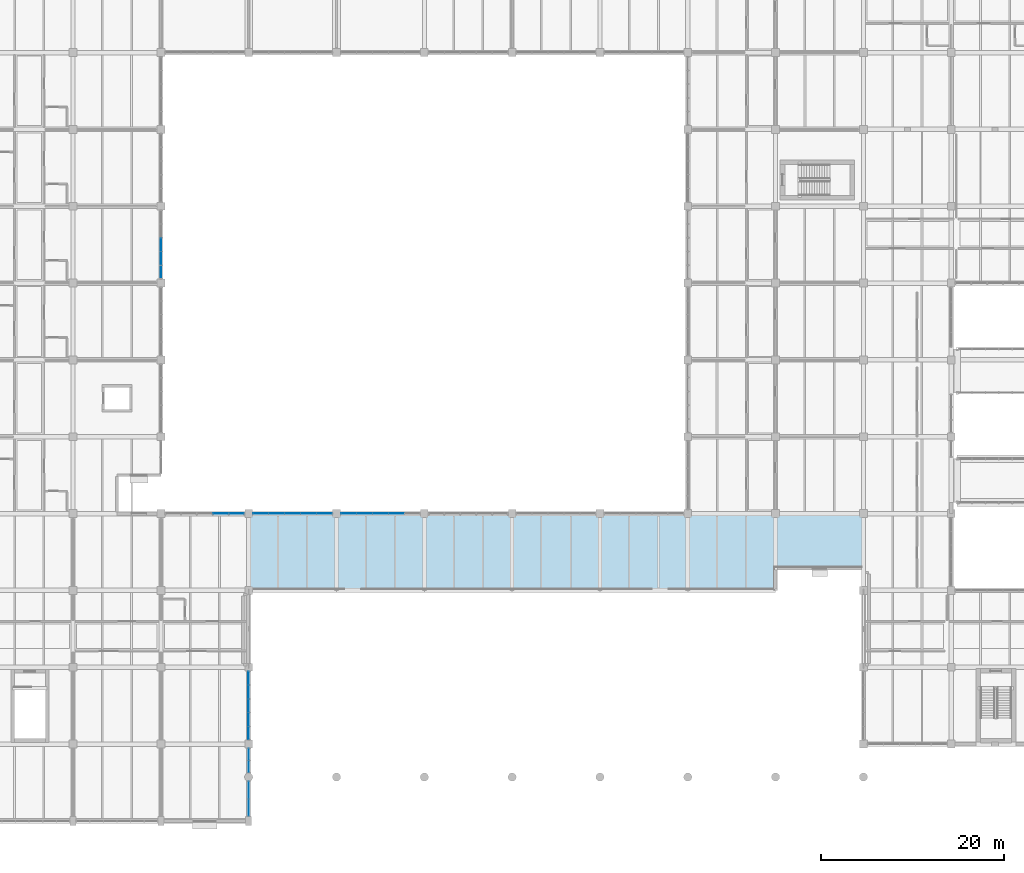
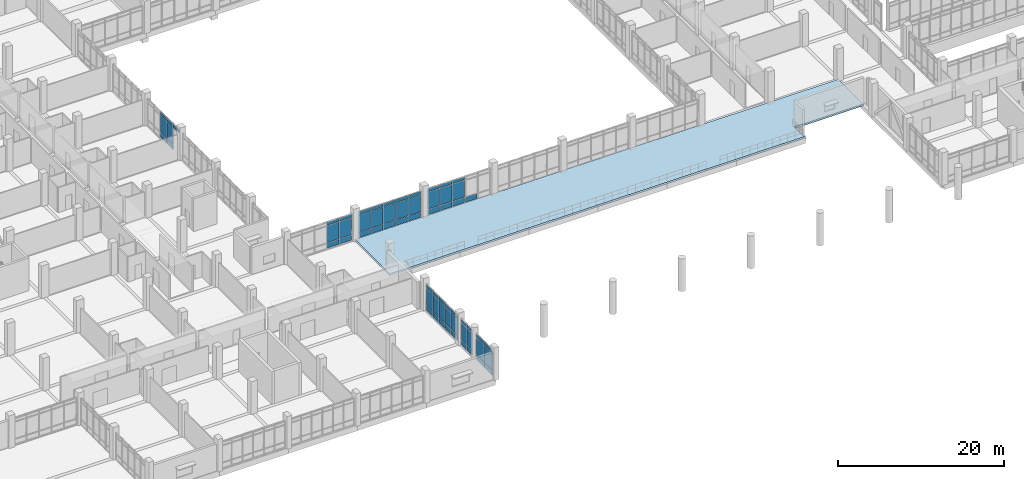
# One storey, part 88 of 152: 65 plates, 1 slab, 7 elements without a shape of their own.
"""IFC4 building model written with IfcOpenShell, lengths in metres."""

from ifc_helpers import new_model, si_unit, direction, frame, origin, origin_2d, place, context, subcontext, project, spatial, polyline, rectangle, outline, extrude, material, layer, layer_set, type_object, element, aggregate, save


model = new_model("IFC4")

# Units and contexts
model_context = context("Model", 3, precision=1e-05, world=origin(), true_north=direction((0.0, 1.0)))
body_context = subcontext(model_context, "Body", "Model", "MODEL_VIEW")
ifc_project = project(units=[si_unit("LENGTHUNIT", "METRE"), si_unit("AREAUNIT", "SQUARE_METRE"), si_unit("VOLUMEUNIT", "CUBIC_METRE"), si_unit("PLANEANGLEUNIT", "RADIAN"), si_unit("MASSUNIT", "GRAM", prefix="KILO")], contexts=[model_context])

# Site, building, storey
site_placement = place(None, origin())
site = spatial("IfcSite", under=ifc_project, at=site_placement, CompositionType="ELEMENT")
building_placement = place(site_placement, origin())
building = spatial("IfcBuilding", under=site, at=building_placement, Name="Oolite Switchyard Hospital", CompositionType="ELEMENT")
storey_placement = place(building_placement, frame((0.0, 0.0, 5.10009765625)))
storey = spatial("IfcBuildingStorey", under=building, at=storey_placement, Name="L01", CompositionType="ELEMENT", Elevation=5.10009765625)

# Curtain wall, plates
ifc_material_1 = material(Name="Thermally broken aluminum frame with laminated impact glazing", Category="aluminium")
curtain_wall_type_1 = type_object("IfcCurtainWallType", Name="CW-UNIT-96X48", PredefinedType="USERDEFINED", material=ifc_material_1)
curtain_wall_1_placement = place(storey_placement, origin())
curtain_wall_1 = element("IfcCurtainWall", 1, at=curtain_wall_1_placement, inside=storey, type_object=curtain_wall_type_1, Name="L01 Unitised Curtain Wall 110", ObjectType="UNITISED", PredefinedType="USERDEFINED")
ifc_material_2 = material(Name="Insulated fluoropolymer-coated aluminum spandrel panel", Category="aluminium")
ifc_layer_1 = layer(ifc_material_2, 0.054931640625)
ifc_layer_set_1 = layer_set([ifc_layer_1], Name="CW-PNL-SPN55")
plate_type_1 = type_object("IfcPlateType", Name="CW-PNL-SPN55", PredefinedType="CURTAIN_PANEL", material=ifc_layer_set_1)
plate_1_placement = place(storey_placement, frame((68.527099609375, 33.60009765625, 0.06005859375), z_axis=(0.0, 0.0, 1.0), x_axis=(1.0, 0.0, 0.0)))
plate_1 = element("IfcPlate", 2, at=plate_1_placement, type_object=plate_type_1, Name="CW-02 panel 1.1", PredefinedType="CURTAIN_PANEL", context=body_context, shape_type="SweptSolid", body=[
    extrude(rectangle(XDim=1.654052734375, YDim=0.054931640625, at=origin_2d()), origin(), (0.0, 0.0, 1.0), 0.760009765625),
])
plate_2_placement = place(storey_placement, frame((68.527099609375, 33.60009765625, 0.8798828125), z_axis=(0.0, 0.0, 1.0), x_axis=(1.0, 0.0, 0.0)))
plate_2 = element("IfcPlate", 3, at=plate_2_placement, type_object=plate_type_1, Name="CW-02 panel 1.2", PredefinedType="CURTAIN_PANEL", context=body_context, shape_type="SweptSolid", body=[
    extrude(rectangle(XDim=1.654052734375, YDim=0.054931640625, at=origin_2d()), origin(), (0.0, 0.0, 1.0), 2.47998046875),
])
plate_3_placement = place(storey_placement, frame((68.527099609375, 33.60009765625, 3.419921875), z_axis=(0.0, 0.0, 1.0), x_axis=(1.0, 0.0, 0.0)))
plate_3 = element("IfcPlate", 4, at=plate_3_placement, type_object=plate_type_1, Name="CW-02 panel 1.3", PredefinedType="CURTAIN_PANEL", context=body_context, shape_type="SweptSolid", body=[
    extrude(rectangle(XDim=1.654052734375, YDim=0.054931640625, at=origin_2d()), origin(), (0.0, 0.0, 1.0), 0.4599609375),
])
plate_4_placement = place(storey_placement, frame((70.256103515625, 33.60009765625, 0.06005859375), z_axis=(0.0, 0.0, 1.0), x_axis=(1.0, 0.0, 0.0)))
plate_4 = element("IfcPlate", 5, at=plate_4_placement, type_object=plate_type_1, Name="CW-02 panel 2.1", PredefinedType="CURTAIN_PANEL", context=body_context, shape_type="SweptSolid", body=[
    extrude(rectangle(XDim=1.68408203125, YDim=0.054931640625, at=origin_2d()), origin(), (0.0, 0.0, 1.0), 0.760009765625),
])
plate_5_placement = place(storey_placement, frame((70.256103515625, 33.60009765625, 0.8798828125), z_axis=(0.0, 0.0, 1.0), x_axis=(1.0, 0.0, 0.0)))
plate_5 = element("IfcPlate", 6, at=plate_5_placement, type_object=plate_type_1, Name="CW-02 panel 2.2", PredefinedType="CURTAIN_PANEL", context=body_context, shape_type="SweptSolid", body=[
    extrude(rectangle(XDim=1.68408203125, YDim=0.054931640625, at=origin_2d()), origin(), (0.0, 0.0, 1.0), 2.47998046875),
])
plate_6_placement = place(storey_placement, frame((70.256103515625, 33.60009765625, 3.419921875), z_axis=(0.0, 0.0, 1.0), x_axis=(1.0, 0.0, 0.0)))
plate_6 = element("IfcPlate", 7, at=plate_6_placement, type_object=plate_type_1, Name="CW-02 panel 2.3", PredefinedType="CURTAIN_PANEL", context=body_context, shape_type="SweptSolid", body=[
    extrude(rectangle(XDim=1.68408203125, YDim=0.054931640625, at=origin_2d()), origin(), (0.0, 0.0, 1.0), 0.4599609375),
])
plate_7_placement = place(storey_placement, frame((72.0, 33.60009765625, 0.06005859375), z_axis=(0.0, 0.0, 1.0), x_axis=(1.0, 0.0, 0.0)))
plate_7 = element("IfcPlate", 8, at=plate_7_placement, type_object=plate_type_1, Name="CW-02 panel 3.1", PredefinedType="CURTAIN_PANEL", context=body_context, shape_type="SweptSolid", body=[
    extrude(rectangle(XDim=1.68408203125, YDim=0.054931640625, at=origin_2d()), origin(), (0.0, 0.0, 1.0), 0.760009765625),
])
plate_8_placement = place(storey_placement, frame((72.0, 33.60009765625, 0.8798828125), z_axis=(0.0, 0.0, 1.0), x_axis=(1.0, 0.0, 0.0)))
plate_8 = element("IfcPlate", 9, at=plate_8_placement, type_object=plate_type_1, Name="CW-02 panel 3.2", PredefinedType="CURTAIN_PANEL", context=body_context, shape_type="SweptSolid", body=[
    extrude(rectangle(XDim=1.68408203125, YDim=0.054931640625, at=origin_2d()), origin(), (0.0, 0.0, 1.0), 2.47998046875),
])
plate_9_placement = place(storey_placement, frame((72.0, 33.60009765625, 3.419921875), z_axis=(0.0, 0.0, 1.0), x_axis=(1.0, 0.0, 0.0)))
plate_9 = element("IfcPlate", 10, at=plate_9_placement, type_object=plate_type_1, Name="CW-02 panel 3.3", PredefinedType="CURTAIN_PANEL", context=body_context, shape_type="SweptSolid", body=[
    extrude(rectangle(XDim=1.68408203125, YDim=0.054931640625, at=origin_2d()), origin(), (0.0, 0.0, 1.0), 0.4599609375),
])
plate_10_placement = place(storey_placement, frame((73.743896484375, 33.60009765625, 0.06005859375), z_axis=(0.0, 0.0, 1.0), x_axis=(1.0, 0.0, 0.0)))
plate_10 = element("IfcPlate", 11, at=plate_10_placement, type_object=plate_type_1, Name="CW-02 panel 4.1", PredefinedType="CURTAIN_PANEL", context=body_context, shape_type="SweptSolid", body=[
    extrude(rectangle(XDim=1.68408203125, YDim=0.054931640625, at=origin_2d()), origin(), (0.0, 0.0, 1.0), 0.760009765625),
])
plate_11_placement = place(storey_placement, frame((73.743896484375, 33.60009765625, 0.8798828125), z_axis=(0.0, 0.0, 1.0), x_axis=(1.0, 0.0, 0.0)))
plate_11 = element("IfcPlate", 12, at=plate_11_placement, type_object=plate_type_1, Name="CW-02 panel 4.2", PredefinedType="CURTAIN_PANEL", context=body_context, shape_type="SweptSolid", body=[
    extrude(rectangle(XDim=1.68408203125, YDim=0.054931640625, at=origin_2d()), origin(), (0.0, 0.0, 1.0), 2.47998046875),
])
plate_12_placement = place(storey_placement, frame((73.743896484375, 33.60009765625, 3.419921875), z_axis=(0.0, 0.0, 1.0), x_axis=(1.0, 0.0, 0.0)))
plate_12 = element("IfcPlate", 13, at=plate_12_placement, type_object=plate_type_1, Name="CW-02 panel 4.3", PredefinedType="CURTAIN_PANEL", context=body_context, shape_type="SweptSolid", body=[
    extrude(rectangle(XDim=1.68408203125, YDim=0.054931640625, at=origin_2d()), origin(), (0.0, 0.0, 1.0), 0.4599609375),
])
plate_13_placement = place(storey_placement, frame((75.472900390625, 33.60009765625, 0.06005859375), z_axis=(0.0, 0.0, 1.0), x_axis=(1.0, 0.0, 0.0)))
plate_13 = element("IfcPlate", 14, at=plate_13_placement, type_object=plate_type_1, Name="CW-02 panel 5.1", PredefinedType="CURTAIN_PANEL", context=body_context, shape_type="SweptSolid", body=[
    extrude(rectangle(XDim=1.654052734375, YDim=0.054931640625, at=origin_2d()), origin(), (0.0, 0.0, 1.0), 0.760009765625),
])
plate_14_placement = place(storey_placement, frame((75.472900390625, 33.60009765625, 0.8798828125), z_axis=(0.0, 0.0, 1.0), x_axis=(1.0, 0.0, 0.0)))
plate_14 = element("IfcPlate", 15, at=plate_14_placement, type_object=plate_type_1, Name="CW-02 panel 5.2", PredefinedType="CURTAIN_PANEL", context=body_context, shape_type="SweptSolid", body=[
    extrude(rectangle(XDim=1.654052734375, YDim=0.054931640625, at=origin_2d()), origin(), (0.0, 0.0, 1.0), 2.47998046875),
])
plate_15_placement = place(storey_placement, frame((75.472900390625, 33.60009765625, 3.419921875), z_axis=(0.0, 0.0, 1.0), x_axis=(1.0, 0.0, 0.0)))
plate_15 = element("IfcPlate", 16, at=plate_15_placement, type_object=plate_type_1, Name="CW-02 panel 5.3", PredefinedType="CURTAIN_PANEL", context=body_context, shape_type="SweptSolid", body=[
    extrude(rectangle(XDim=1.654052734375, YDim=0.054931640625, at=origin_2d()), origin(), (0.0, 0.0, 1.0), 0.4599609375),
])
aggregate(curtain_wall_1, [plate_1, plate_2, plate_3, plate_4, plate_5, plate_6, plate_7, plate_8, plate_9, plate_10, plate_11, plate_12, plate_13, plate_14, plate_15])

curtain_wall_type_2 = type_object("IfcCurtainWallType", Name="CW-UNIT-84X48", PredefinedType="USERDEFINED", material=ifc_material_1)
curtain_wall_2_placement = place(storey_placement, origin())
curtain_wall_2 = element("IfcCurtainWall", 17, at=curtain_wall_2_placement, inside=storey, type_object=curtain_wall_type_2, Name="L01 Unitised Curtain Wall 177", ObjectType="UNITISED", PredefinedType="USERDEFINED")
plate_16_placement = place(storey_placement, frame((67.199951171875, 15.590576171875, 0.07470703125), z_axis=(0.0, 0.0, 1.0), x_axis=(0.0, -1.0, 0.0)))
plate_16 = element("IfcPlate", 18, at=plate_16_placement, type_object=plate_type_1, Name="CW-07 panel 1.1", PredefinedType="CURTAIN_PANEL", context=body_context, shape_type="SweptSolid", body=[
    extrude(rectangle(XDim=1.39892578125, YDim=0.054931640625, at=origin_2d()), origin(), (0.0, 0.0, 1.0), 0.737548828125),
])
plate_17_placement = place(storey_placement, frame((67.199951171875, 15.590576171875, 0.88720703125), z_axis=(0.0, 0.0, 1.0), x_axis=(0.0, -1.0, 0.0)))
plate_17 = element("IfcPlate", 19, at=plate_17_placement, type_object=plate_type_1, Name="CW-07 panel 1.2", PredefinedType="CURTAIN_PANEL", context=body_context, shape_type="SweptSolid", body=[
    extrude(rectangle(XDim=1.39892578125, YDim=0.054931640625, at=origin_2d()), origin(), (0.0, 0.0, 1.0), 2.465087890625),
])
plate_18_placement = place(storey_placement, frame((67.199951171875, 15.590576171875, 3.427490234375), z_axis=(0.0, 0.0, 1.0), x_axis=(0.0, -1.0, 0.0)))
plate_18 = element("IfcPlate", 20, at=plate_18_placement, type_object=plate_type_1, Name="CW-07 panel 1.3", PredefinedType="CURTAIN_PANEL", context=body_context, shape_type="SweptSolid", body=[
    extrude(rectangle(XDim=1.39892578125, YDim=0.054931640625, at=origin_2d()), origin(), (0.0, 0.0, 1.0), 0.4375),
])
plate_19_placement = place(storey_placement, frame((67.199951171875, 14.10400390625, 0.07470703125), z_axis=(0.0, 0.0, 1.0), x_axis=(0.0, -1.0, 0.0)))
plate_19 = element("IfcPlate", 21, at=plate_19_placement, type_object=plate_type_1, Name="CW-07 panel 2.1", PredefinedType="CURTAIN_PANEL", context=body_context, shape_type="SweptSolid", body=[
    extrude(rectangle(XDim=1.43408203125, YDim=0.054931640625, at=origin_2d()), origin(), (0.0, 0.0, 1.0), 0.737548828125),
])
plate_20_placement = place(storey_placement, frame((67.199951171875, 14.10400390625, 0.88720703125), z_axis=(0.0, 0.0, 1.0), x_axis=(0.0, -1.0, 0.0)))
plate_20 = element("IfcPlate", 22, at=plate_20_placement, type_object=plate_type_1, Name="CW-07 panel 2.2", PredefinedType="CURTAIN_PANEL", context=body_context, shape_type="SweptSolid", body=[
    extrude(rectangle(XDim=1.43408203125, YDim=0.054931640625, at=origin_2d()), origin(), (0.0, 0.0, 1.0), 2.465087890625),
])
plate_21_placement = place(storey_placement, frame((67.199951171875, 14.10400390625, 3.427490234375), z_axis=(0.0, 0.0, 1.0), x_axis=(0.0, -1.0, 0.0)))
plate_21 = element("IfcPlate", 23, at=plate_21_placement, type_object=plate_type_1, Name="CW-07 panel 2.3", PredefinedType="CURTAIN_PANEL", context=body_context, shape_type="SweptSolid", body=[
    extrude(rectangle(XDim=1.43408203125, YDim=0.054931640625, at=origin_2d()), origin(), (0.0, 0.0, 1.0), 0.4375),
])
plate_22_placement = place(storey_placement, frame((67.199951171875, 12.60009765625, 0.07470703125), z_axis=(0.0, 0.0, 1.0), x_axis=(0.0, -1.0, 0.0)))
plate_22 = element("IfcPlate", 24, at=plate_22_placement, type_object=plate_type_1, Name="CW-07 panel 3.1", PredefinedType="CURTAIN_PANEL", context=body_context, shape_type="SweptSolid", body=[
    extrude(rectangle(XDim=1.43408203125, YDim=0.054931640625, at=origin_2d()), origin(), (0.0, 0.0, 1.0), 0.737548828125),
])
plate_23_placement = place(storey_placement, frame((67.199951171875, 12.60009765625, 0.88720703125), z_axis=(0.0, 0.0, 1.0), x_axis=(0.0, -1.0, 0.0)))
plate_23 = element("IfcPlate", 25, at=plate_23_placement, type_object=plate_type_1, Name="CW-07 panel 3.2", PredefinedType="CURTAIN_PANEL", context=body_context, shape_type="SweptSolid", body=[
    extrude(rectangle(XDim=1.43408203125, YDim=0.054931640625, at=origin_2d()), origin(), (0.0, 0.0, 1.0), 2.465087890625),
])
plate_24_placement = place(storey_placement, frame((67.199951171875, 12.60009765625, 3.427490234375), z_axis=(0.0, 0.0, 1.0), x_axis=(0.0, -1.0, 0.0)))
plate_24 = element("IfcPlate", 26, at=plate_24_placement, type_object=plate_type_1, Name="CW-07 panel 3.3", PredefinedType="CURTAIN_PANEL", context=body_context, shape_type="SweptSolid", body=[
    extrude(rectangle(XDim=1.43408203125, YDim=0.054931640625, at=origin_2d()), origin(), (0.0, 0.0, 1.0), 0.4375),
])
plate_25_placement = place(storey_placement, frame((67.199951171875, 11.095947265625, 0.07470703125), z_axis=(0.0, 0.0, 1.0), x_axis=(0.0, -1.0, 0.0)))
plate_25 = element("IfcPlate", 27, at=plate_25_placement, type_object=plate_type_1, Name="CW-07 panel 4.1", PredefinedType="CURTAIN_PANEL", context=body_context, shape_type="SweptSolid", body=[
    extrude(rectangle(XDim=1.43408203125, YDim=0.054931640625, at=origin_2d()), origin(), (0.0, 0.0, 1.0), 0.737548828125),
])
plate_26_placement = place(storey_placement, frame((67.199951171875, 11.095947265625, 0.88720703125), z_axis=(0.0, 0.0, 1.0), x_axis=(0.0, -1.0, 0.0)))
plate_26 = element("IfcPlate", 28, at=plate_26_placement, type_object=plate_type_1, Name="CW-07 panel 4.2", PredefinedType="CURTAIN_PANEL", context=body_context, shape_type="SweptSolid", body=[
    extrude(rectangle(XDim=1.43408203125, YDim=0.054931640625, at=origin_2d()), origin(), (0.0, 0.0, 1.0), 2.465087890625),
])
plate_27_placement = place(storey_placement, frame((67.199951171875, 11.095947265625, 3.427490234375), z_axis=(0.0, 0.0, 1.0), x_axis=(0.0, -1.0, 0.0)))
plate_27 = element("IfcPlate", 29, at=plate_27_placement, type_object=plate_type_1, Name="CW-07 panel 4.3", PredefinedType="CURTAIN_PANEL", context=body_context, shape_type="SweptSolid", body=[
    extrude(rectangle(XDim=1.43408203125, YDim=0.054931640625, at=origin_2d()), origin(), (0.0, 0.0, 1.0), 0.4375),
])
plate_28_placement = place(storey_placement, frame((67.199951171875, 9.609619140625, 0.07470703125), z_axis=(0.0, 0.0, 1.0), x_axis=(0.0, -1.0, 0.0)))
plate_28 = element("IfcPlate", 30, at=plate_28_placement, type_object=plate_type_1, Name="CW-07 panel 5.1", PredefinedType="CURTAIN_PANEL", context=body_context, shape_type="SweptSolid", body=[
    extrude(rectangle(XDim=1.39892578125, YDim=0.054931640625, at=origin_2d()), origin(), (0.0, 0.0, 1.0), 0.737548828125),
])
plate_29_placement = place(storey_placement, frame((67.199951171875, 9.609619140625, 0.88720703125), z_axis=(0.0, 0.0, 1.0), x_axis=(0.0, -1.0, 0.0)))
plate_29 = element("IfcPlate", 31, at=plate_29_placement, type_object=plate_type_1, Name="CW-07 panel 5.2", PredefinedType="CURTAIN_PANEL", context=body_context, shape_type="SweptSolid", body=[
    extrude(rectangle(XDim=1.39892578125, YDim=0.054931640625, at=origin_2d()), origin(), (0.0, 0.0, 1.0), 2.465087890625),
])
plate_30_placement = place(storey_placement, frame((67.199951171875, 9.609619140625, 3.427490234375), z_axis=(0.0, 0.0, 1.0), x_axis=(0.0, -1.0, 0.0)))
plate_30 = element("IfcPlate", 32, at=plate_30_placement, type_object=plate_type_1, Name="CW-07 panel 5.3", PredefinedType="CURTAIN_PANEL", context=body_context, shape_type="SweptSolid", body=[
    extrude(rectangle(XDim=1.39892578125, YDim=0.054931640625, at=origin_2d()), origin(), (0.0, 0.0, 1.0), 0.4375),
])
aggregate(curtain_wall_2, [plate_16, plate_17, plate_18, plate_19, plate_20, plate_21, plate_22, plate_23, plate_24, plate_25, plate_26, plate_27, plate_28, plate_29, plate_30])

curtain_wall_3_placement = place(storey_placement, origin())
curtain_wall_3 = element("IfcCurtainWall", 33, at=curtain_wall_3_placement, inside=storey, type_object=curtain_wall_type_2, Name="L01 Unitised Curtain Wall 169", ObjectType="UNITISED", PredefinedType="USERDEFINED")
ifc_layer_2 = layer(ifc_material_2, 0.070068359375)
ifc_layer_set_2 = layer_set([ifc_layer_2], Name="CW-PNL-SPN70")
plate_type_2 = type_object("IfcPlateType", Name="CW-PNL-SPN70", PredefinedType="CURTAIN_PANEL", material=ifc_layer_set_2)
plate_31_placement = place(storey_placement, frame((57.60009765625, 63.0, 0.07470703125), z_axis=(0.0, 0.0, 1.0), x_axis=(0.0, -1.0, 0.0)))
plate_31 = element("IfcPlate", 34, at=plate_31_placement, type_object=plate_type_2, Name="CW-07 panel 3.1", PredefinedType="CURTAIN_PANEL", context=body_context, shape_type="SweptSolid", body=[
    extrude(rectangle(XDim=1.428955078125, YDim=0.070068359375, at=origin_2d()), origin(), (0.0, 0.0, 1.0), 0.737548828125),
])
plate_32_placement = place(storey_placement, frame((57.60009765625, 63.0, 0.88720703125), z_axis=(0.0, 0.0, 1.0), x_axis=(0.0, -1.0, 0.0)))
plate_32 = element("IfcPlate", 35, at=plate_32_placement, type_object=plate_type_2, Name="CW-07 panel 3.2", PredefinedType="CURTAIN_PANEL", context=body_context, shape_type="SweptSolid", body=[
    extrude(rectangle(XDim=1.428955078125, YDim=0.070068359375, at=origin_2d()), origin(), (0.0, 0.0, 1.0), 2.465087890625),
])
plate_33_placement = place(storey_placement, frame((57.60009765625, 63.0, 3.427490234375), z_axis=(0.0, 0.0, 1.0), x_axis=(0.0, -1.0, 0.0)))
plate_33 = element("IfcPlate", 36, at=plate_33_placement, type_object=plate_type_2, Name="CW-07 panel 3.3", PredefinedType="CURTAIN_PANEL", context=body_context, shape_type="SweptSolid", body=[
    extrude(rectangle(XDim=1.428955078125, YDim=0.070068359375, at=origin_2d()), origin(), (0.0, 0.0, 1.0), 0.4375),
])
plate_34_placement = place(storey_placement, frame((57.60009765625, 61.49609375, 0.07470703125), z_axis=(0.0, 0.0, 1.0), x_axis=(0.0, -1.0, 0.0)))
plate_34 = element("IfcPlate", 37, at=plate_34_placement, type_object=plate_type_2, Name="CW-07 panel 4.1", PredefinedType="CURTAIN_PANEL", context=body_context, shape_type="SweptSolid", body=[
    extrude(rectangle(XDim=1.428955078125, YDim=0.070068359375, at=origin_2d()), origin(), (0.0, 0.0, 1.0), 0.737548828125),
])
plate_35_placement = place(storey_placement, frame((57.60009765625, 61.49609375, 0.88720703125), z_axis=(0.0, 0.0, 1.0), x_axis=(0.0, -1.0, 0.0)))
plate_35 = element("IfcPlate", 38, at=plate_35_placement, type_object=plate_type_2, Name="CW-07 panel 4.2", PredefinedType="CURTAIN_PANEL", context=body_context, shape_type="SweptSolid", body=[
    extrude(rectangle(XDim=1.428955078125, YDim=0.070068359375, at=origin_2d()), origin(), (0.0, 0.0, 1.0), 2.465087890625),
])
plate_36_placement = place(storey_placement, frame((57.60009765625, 61.49609375, 3.427490234375), z_axis=(0.0, 0.0, 1.0), x_axis=(0.0, -1.0, 0.0)))
plate_36 = element("IfcPlate", 39, at=plate_36_placement, type_object=plate_type_2, Name="CW-07 panel 4.3", PredefinedType="CURTAIN_PANEL", context=body_context, shape_type="SweptSolid", body=[
    extrude(rectangle(XDim=1.428955078125, YDim=0.070068359375, at=origin_2d()), origin(), (0.0, 0.0, 1.0), 0.4375),
])
plate_37_placement = place(storey_placement, frame((57.60009765625, 60.0107421875, 3.427490234375), z_axis=(0.0, 0.0, 1.0), x_axis=(0.0, -1.0, 0.0)))
plate_37 = element("IfcPlate", 40, at=plate_37_placement, type_object=plate_type_2, Name="CW-07 panel 5.3", PredefinedType="CURTAIN_PANEL", context=body_context, shape_type="SweptSolid", body=[
    extrude(rectangle(XDim=1.3916015625, YDim=0.070068359375, at=origin_2d()), origin(), (0.0, 0.0, 1.0), 0.4375),
])
aggregate(curtain_wall_3, [plate_31, plate_32, plate_33, plate_34, plate_35, plate_36, plate_37])

curtain_wall_4_placement = place(storey_placement, origin())
curtain_wall_4 = element("IfcCurtainWall", 41, at=curtain_wall_4_placement, inside=storey, type_object=curtain_wall_type_1, Name="L01 Unitised Curtain Wall 111", ObjectType="UNITISED", PredefinedType="USERDEFINED")
ifc_material_3 = material(Name="Laminated hurricane-impact insulated glazing unit", Category="glass")
ifc_layer_3 = layer(ifc_material_3, 0.028076171875)
ifc_layer_set_3 = layer_set([ifc_layer_3], Name="CW-PNL-VIS28")
plate_type_3 = type_object("IfcPlateType", Name="CW-PNL-VIS28", PredefinedType="CURTAIN_PANEL", material=ifc_layer_set_3)
plate_38_placement = place(storey_placement, frame((78.12939453125, 33.60009765625, 0.07470703125), z_axis=(0.0, 0.0, 1.0), x_axis=(1.0, 0.0, 0.0)))
plate_38 = element("IfcPlate", 42, at=plate_38_placement, type_object=plate_type_3, Name="CW-02 panel 1.1", PredefinedType="CURTAIN_PANEL", context=body_context, shape_type="SweptSolid", body=[
    extrude(rectangle(XDim=1.638916015625, YDim=0.028076171875, at=origin_2d()), origin(), (0.0, 0.0, 1.0), 0.737548828125),
])
plate_39_placement = place(storey_placement, frame((78.12939453125, 33.60009765625, 0.88720703125), z_axis=(0.0, 0.0, 1.0), x_axis=(1.0, 0.0, 0.0)))
plate_39 = element("IfcPlate", 43, at=plate_39_placement, type_object=plate_type_3, Name="CW-02 panel 1.2", PredefinedType="CURTAIN_PANEL", context=body_context, shape_type="SweptSolid", body=[
    extrude(rectangle(XDim=1.638916015625, YDim=0.028076171875, at=origin_2d()), origin(), (0.0, 0.0, 1.0), 2.465087890625),
])
plate_40_placement = place(storey_placement, frame((78.12939453125, 33.60009765625, 3.427490234375), z_axis=(0.0, 0.0, 1.0), x_axis=(1.0, 0.0, 0.0)))
plate_40 = element("IfcPlate", 44, at=plate_40_placement, type_object=plate_type_3, Name="CW-02 panel 1.3", PredefinedType="CURTAIN_PANEL", context=body_context, shape_type="SweptSolid", body=[
    extrude(rectangle(XDim=1.638916015625, YDim=0.028076171875, at=origin_2d()), origin(), (0.0, 0.0, 1.0), 0.4375),
])
plate_41_placement = place(storey_placement, frame((79.85595703125, 33.60009765625, 0.07470703125), z_axis=(0.0, 0.0, 1.0), x_axis=(1.0, 0.0, 0.0)))
plate_41 = element("IfcPlate", 45, at=plate_41_placement, type_object=plate_type_3, Name="CW-02 panel 2.1", PredefinedType="CURTAIN_PANEL", context=body_context, shape_type="SweptSolid", body=[
    extrude(rectangle(XDim=1.674072265625, YDim=0.028076171875, at=origin_2d()), origin(), (0.0, 0.0, 1.0), 0.737548828125),
])
plate_42_placement = place(storey_placement, frame((79.85595703125, 33.60009765625, 0.88720703125), z_axis=(0.0, 0.0, 1.0), x_axis=(1.0, 0.0, 0.0)))
plate_42 = element("IfcPlate", 46, at=plate_42_placement, type_object=plate_type_3, Name="CW-02 panel 2.2", PredefinedType="CURTAIN_PANEL", context=body_context, shape_type="SweptSolid", body=[
    extrude(rectangle(XDim=1.674072265625, YDim=0.028076171875, at=origin_2d()), origin(), (0.0, 0.0, 1.0), 2.465087890625),
])
plate_43_placement = place(storey_placement, frame((79.85595703125, 33.60009765625, 3.427490234375), z_axis=(0.0, 0.0, 1.0), x_axis=(1.0, 0.0, 0.0)))
plate_43 = element("IfcPlate", 47, at=plate_43_placement, type_object=plate_type_3, Name="CW-02 panel 2.3", PredefinedType="CURTAIN_PANEL", context=body_context, shape_type="SweptSolid", body=[
    extrude(rectangle(XDim=1.674072265625, YDim=0.028076171875, at=origin_2d()), origin(), (0.0, 0.0, 1.0), 0.4375),
])
plate_44_placement = place(storey_placement, frame((81.60009765625, 33.60009765625, 0.07470703125), z_axis=(0.0, 0.0, 1.0), x_axis=(1.0, 0.0, 0.0)))
plate_44 = element("IfcPlate", 48, at=plate_44_placement, type_object=plate_type_3, Name="CW-02 panel 3.1", PredefinedType="CURTAIN_PANEL", context=body_context, shape_type="SweptSolid", body=[
    extrude(rectangle(XDim=1.674072265625, YDim=0.028076171875, at=origin_2d()), origin(), (0.0, 0.0, 1.0), 0.737548828125),
])
plate_45_placement = place(storey_placement, frame((81.60009765625, 33.60009765625, 0.88720703125), z_axis=(0.0, 0.0, 1.0), x_axis=(1.0, 0.0, 0.0)))
plate_45 = element("IfcPlate", 49, at=plate_45_placement, type_object=plate_type_3, Name="CW-02 panel 3.2", PredefinedType="CURTAIN_PANEL", context=body_context, shape_type="SweptSolid", body=[
    extrude(rectangle(XDim=1.674072265625, YDim=0.028076171875, at=origin_2d()), origin(), (0.0, 0.0, 1.0), 2.465087890625),
])
plate_46_placement = place(storey_placement, frame((81.60009765625, 33.60009765625, 3.427490234375), z_axis=(0.0, 0.0, 1.0), x_axis=(1.0, 0.0, 0.0)))
plate_46 = element("IfcPlate", 50, at=plate_46_placement, type_object=plate_type_3, Name="CW-02 panel 3.3", PredefinedType="CURTAIN_PANEL", context=body_context, shape_type="SweptSolid", body=[
    extrude(rectangle(XDim=1.674072265625, YDim=0.028076171875, at=origin_2d()), origin(), (0.0, 0.0, 1.0), 0.4375),
])
plate_47_placement = place(storey_placement, frame((83.343994140625, 33.60009765625, 0.07470703125), z_axis=(0.0, 0.0, 1.0), x_axis=(1.0, 0.0, 0.0)))
plate_47 = element("IfcPlate", 51, at=plate_47_placement, type_object=plate_type_3, Name="CW-02 panel 4.1", PredefinedType="CURTAIN_PANEL", context=body_context, shape_type="SweptSolid", body=[
    extrude(rectangle(XDim=1.674072265625, YDim=0.028076171875, at=origin_2d()), origin(), (0.0, 0.0, 1.0), 0.737548828125),
])
aggregate(curtain_wall_4, [plate_38, plate_39, plate_40, plate_41, plate_42, plate_43, plate_44, plate_45, plate_46, plate_47])

curtain_wall_5_placement = place(storey_placement, origin())
curtain_wall_5 = element("IfcCurtainWall", 52, at=curtain_wall_5_placement, inside=storey, type_object=curtain_wall_type_2, Name="L01 Unitised Curtain Wall 175", ObjectType="UNITISED", PredefinedType="USERDEFINED")
ifc_layer_4 = layer(ifc_material_3, 0.031982421875)
ifc_layer_set_4 = layer_set([ifc_layer_4], Name="CW-PNL-VIS32")
plate_type_4 = type_object("IfcPlateType", Name="CW-PNL-VIS32", PredefinedType="CURTAIN_PANEL", material=ifc_layer_set_4)
plate_48_placement = place(storey_placement, frame((67.199951171875, 7.267578125, 0.07470703125), z_axis=(0.0, 0.0, 1.0), x_axis=(0.0, -1.0, 0.0)))
plate_48 = element("IfcPlate", 53, at=plate_48_placement, type_object=plate_type_4, Name="CW-07 panel 1.1", PredefinedType="CURTAIN_PANEL", context=body_context, shape_type="SweptSolid", body=[
    extrude(rectangle(XDim=1.235107421875, YDim=0.031982421875, at=origin_2d()), origin(), (0.0, 0.0, 1.0), 0.737548828125),
])
plate_49_placement = place(storey_placement, frame((67.199951171875, 7.267578125, 0.88720703125), z_axis=(0.0, 0.0, 1.0), x_axis=(0.0, -1.0, 0.0)))
plate_49 = element("IfcPlate", 54, at=plate_49_placement, type_object=plate_type_4, Name="CW-07 panel 1.2", PredefinedType="CURTAIN_PANEL", context=body_context, shape_type="SweptSolid", body=[
    extrude(rectangle(XDim=1.235107421875, YDim=0.031982421875, at=origin_2d()), origin(), (0.0, 0.0, 1.0), 2.465087890625),
])
plate_50_placement = place(storey_placement, frame((67.199951171875, 7.267578125, 3.427490234375), z_axis=(0.0, 0.0, 1.0), x_axis=(0.0, -1.0, 0.0)))
plate_50 = element("IfcPlate", 55, at=plate_50_placement, type_object=plate_type_4, Name="CW-07 panel 1.3", PredefinedType="CURTAIN_PANEL", context=body_context, shape_type="SweptSolid", body=[
    extrude(rectangle(XDim=1.235107421875, YDim=0.031982421875, at=origin_2d()), origin(), (0.0, 0.0, 1.0), 0.4375),
])
plate_51_placement = place(storey_placement, frame((67.199951171875, 5.95751953125, 0.07470703125), z_axis=(0.0, 0.0, 1.0), x_axis=(0.0, -1.0, 0.0)))
plate_51 = element("IfcPlate", 56, at=plate_51_placement, type_object=plate_type_4, Name="CW-07 panel 2.1", PredefinedType="CURTAIN_PANEL", context=body_context, shape_type="SweptSolid", body=[
    extrude(rectangle(XDim=1.235107421875, YDim=0.031982421875, at=origin_2d()), origin(), (0.0, 0.0, 1.0), 0.737548828125),
])
plate_52_placement = place(storey_placement, frame((67.199951171875, 5.95751953125, 0.88720703125), z_axis=(0.0, 0.0, 1.0), x_axis=(0.0, -1.0, 0.0)))
plate_52 = element("IfcPlate", 57, at=plate_52_placement, type_object=plate_type_4, Name="CW-07 panel 2.2", PredefinedType="CURTAIN_PANEL", context=body_context, shape_type="SweptSolid", body=[
    extrude(rectangle(XDim=1.235107421875, YDim=0.031982421875, at=origin_2d()), origin(), (0.0, 0.0, 1.0), 2.465087890625),
])
plate_53_placement = place(storey_placement, frame((67.199951171875, 5.95751953125, 3.427490234375), z_axis=(0.0, 0.0, 1.0), x_axis=(0.0, -1.0, 0.0)))
plate_53 = element("IfcPlate", 58, at=plate_53_placement, type_object=plate_type_4, Name="CW-07 panel 2.3", PredefinedType="CURTAIN_PANEL", context=body_context, shape_type="SweptSolid", body=[
    extrude(rectangle(XDim=1.235107421875, YDim=0.031982421875, at=origin_2d()), origin(), (0.0, 0.0, 1.0), 0.4375),
])
aggregate(curtain_wall_5, [plate_48, plate_49, plate_50, plate_51, plate_52, plate_53])

curtain_wall_6_placement = place(storey_placement, origin())
curtain_wall_6 = element("IfcCurtainWall", 59, at=curtain_wall_6_placement, inside=storey, type_object=curtain_wall_type_1, Name="L01 Unitised Curtain Wall 109", ObjectType="UNITISED", PredefinedType="USERDEFINED")
ifc_layer_5 = layer(ifc_material_3, 0.035888671875)
ifc_layer_set_5 = layer_set([ifc_layer_5], Name="CW-PNL-VIS36")
plate_type_5 = type_object("IfcPlateType", Name="CW-PNL-VIS36", PredefinedType="CURTAIN_PANEL", material=ifc_layer_set_5)
plate_54_placement = place(storey_placement, frame((64.14404296875, 33.60009765625, 0.07470703125), z_axis=(0.0, 0.0, 1.0), x_axis=(1.0, 0.0, 0.0)))
plate_54 = element("IfcPlate", 60, at=plate_54_placement, type_object=plate_type_5, Name="CW-02 panel 4.1", PredefinedType="CURTAIN_PANEL", context=body_context, shape_type="SweptSolid", body=[
    extrude(rectangle(XDim=1.6689453125, YDim=0.035888671875, at=origin_2d()), origin(), (0.0, 0.0, 1.0), 0.737548828125),
])
plate_55_placement = place(storey_placement, frame((64.14404296875, 33.60009765625, 0.88720703125), z_axis=(0.0, 0.0, 1.0), x_axis=(1.0, 0.0, 0.0)))
plate_55 = element("IfcPlate", 61, at=plate_55_placement, type_object=plate_type_5, Name="CW-02 panel 4.2", PredefinedType="CURTAIN_PANEL", context=body_context, shape_type="SweptSolid", body=[
    extrude(rectangle(XDim=1.6689453125, YDim=0.035888671875, at=origin_2d()), origin(), (0.0, 0.0, 1.0), 2.465087890625),
])
plate_56_placement = place(storey_placement, frame((64.14404296875, 33.60009765625, 3.427490234375), z_axis=(0.0, 0.0, 1.0), x_axis=(1.0, 0.0, 0.0)))
plate_56 = element("IfcPlate", 62, at=plate_56_placement, type_object=plate_type_5, Name="CW-02 panel 4.3", PredefinedType="CURTAIN_PANEL", context=body_context, shape_type="SweptSolid", body=[
    extrude(rectangle(XDim=1.6689453125, YDim=0.035888671875, at=origin_2d()), origin(), (0.0, 0.0, 1.0), 0.4375),
])
plate_57_placement = place(storey_placement, frame((65.869140625, 33.60009765625, 0.07470703125), z_axis=(0.0, 0.0, 1.0), x_axis=(1.0, 0.0, 0.0)))
plate_57 = element("IfcPlate", 63, at=plate_57_placement, type_object=plate_type_5, Name="CW-02 panel 5.1", PredefinedType="CURTAIN_PANEL", context=body_context, shape_type="SweptSolid", body=[
    extrude(rectangle(XDim=1.631591796875, YDim=0.035888671875, at=origin_2d()), origin(), (0.0, 0.0, 1.0), 0.737548828125),
])
plate_58_placement = place(storey_placement, frame((65.869140625, 33.60009765625, 0.88720703125), z_axis=(0.0, 0.0, 1.0), x_axis=(1.0, 0.0, 0.0)))
plate_58 = element("IfcPlate", 64, at=plate_58_placement, type_object=plate_type_5, Name="CW-02 panel 5.2", PredefinedType="CURTAIN_PANEL", context=body_context, shape_type="SweptSolid", body=[
    extrude(rectangle(XDim=1.631591796875, YDim=0.035888671875, at=origin_2d()), origin(), (0.0, 0.0, 1.0), 2.465087890625),
])
plate_59_placement = place(storey_placement, frame((65.869140625, 33.60009765625, 3.427490234375), z_axis=(0.0, 0.0, 1.0), x_axis=(1.0, 0.0, 0.0)))
plate_59 = element("IfcPlate", 65, at=plate_59_placement, type_object=plate_type_5, Name="CW-02 panel 5.3", PredefinedType="CURTAIN_PANEL", context=body_context, shape_type="SweptSolid", body=[
    extrude(rectangle(XDim=1.631591796875, YDim=0.035888671875, at=origin_2d()), origin(), (0.0, 0.0, 1.0), 0.4375),
])
aggregate(curtain_wall_6, [plate_54, plate_55, plate_56, plate_57, plate_58, plate_59])

curtain_wall_7_placement = place(storey_placement, origin())
curtain_wall_7 = element("IfcCurtainWall", 66, at=curtain_wall_7_placement, inside=storey, type_object=curtain_wall_type_2, Name="L01 Unitised Curtain Wall 176", ObjectType="UNITISED", PredefinedType="USERDEFINED")
plate_60_placement = place(storey_placement, frame((67.199951171875, 3.358642578125, 0.06005859375), z_axis=(0.0, 0.0, 1.0), x_axis=(0.0, -1.0, 0.0)))
plate_60 = element("IfcPlate", 67, at=plate_60_placement, type_object=plate_type_5, Name="CW-07 panel 1.1", PredefinedType="CURTAIN_PANEL", context=body_context, shape_type="SweptSolid", body=[
    extrude(rectangle(XDim=1.83251953125, YDim=0.035888671875, at=origin_2d()), origin(), (0.0, 0.0, 1.0), 0.760009765625),
])
plate_61_placement = place(storey_placement, frame((67.199951171875, 3.358642578125, 0.8798828125), z_axis=(0.0, 0.0, 1.0), x_axis=(0.0, -1.0, 0.0)))
plate_61 = element("IfcPlate", 68, at=plate_61_placement, type_object=plate_type_5, Name="CW-07 panel 1.2", PredefinedType="CURTAIN_PANEL", context=body_context, shape_type="SweptSolid", body=[
    extrude(rectangle(XDim=1.83251953125, YDim=0.035888671875, at=origin_2d()), origin(), (0.0, 0.0, 1.0), 2.47998046875),
])
plate_62_placement = place(storey_placement, frame((67.199951171875, 3.358642578125, 3.419921875), z_axis=(0.0, 0.0, 1.0), x_axis=(0.0, -1.0, 0.0)))
plate_62 = element("IfcPlate", 69, at=plate_62_placement, type_object=plate_type_5, Name="CW-07 panel 1.3", PredefinedType="CURTAIN_PANEL", context=body_context, shape_type="SweptSolid", body=[
    extrude(rectangle(XDim=1.83251953125, YDim=0.035888671875, at=origin_2d()), origin(), (0.0, 0.0, 1.0), 0.4599609375),
])
plate_63_placement = place(storey_placement, frame((67.199951171875, 1.46630859375, 0.06005859375), z_axis=(0.0, 0.0, 1.0), x_axis=(0.0, -1.0, 0.0)))
plate_63 = element("IfcPlate", 70, at=plate_63_placement, type_object=plate_type_5, Name="CW-07 panel 2.1", PredefinedType="CURTAIN_PANEL", context=body_context, shape_type="SweptSolid", body=[
    extrude(rectangle(XDim=1.83251953125, YDim=0.035888671875, at=origin_2d()), origin(), (0.0, 0.0, 1.0), 0.760009765625),
])
plate_64_placement = place(storey_placement, frame((67.199951171875, 1.46630859375, 0.8798828125), z_axis=(0.0, 0.0, 1.0), x_axis=(0.0, -1.0, 0.0)))
plate_64 = element("IfcPlate", 71, at=plate_64_placement, type_object=plate_type_5, Name="CW-07 panel 2.2", PredefinedType="CURTAIN_PANEL", context=body_context, shape_type="SweptSolid", body=[
    extrude(rectangle(XDim=1.83251953125, YDim=0.035888671875, at=origin_2d()), origin(), (0.0, 0.0, 1.0), 2.47998046875),
])
plate_65_placement = place(storey_placement, frame((67.199951171875, 1.46630859375, 3.419921875), z_axis=(0.0, 0.0, 1.0), x_axis=(0.0, -1.0, 0.0)))
plate_65 = element("IfcPlate", 72, at=plate_65_placement, type_object=plate_type_5, Name="CW-07 panel 2.3", PredefinedType="CURTAIN_PANEL", context=body_context, shape_type="SweptSolid", body=[
    extrude(rectangle(XDim=1.83251953125, YDim=0.035888671875, at=origin_2d()), origin(), (0.0, 0.0, 1.0), 0.4599609375),
])
aggregate(curtain_wall_7, [plate_60, plate_61, plate_62, plate_63, plate_64, plate_65])

# Slab
ifc_material_4 = material(Name="Concrete C40/50", Category="concrete")
ifc_layer_6 = layer(ifc_material_4, 0.27490234375)
ifc_layer_set_6 = layer_set([ifc_layer_6], Name="SLB-FLR-275")
slab_type = type_object("IfcSlabType", Name="SLB-FLR-275", PredefinedType="FLOOR", material=ifc_layer_set_6)
slab_placement = place(storey_placement, frame((0.0, 0.0, -0.275146484375)))
element("IfcSlab", 73, at=slab_placement, inside=storey, type_object=slab_type, Name="L01 V1 Slab V1G", PredefinedType="FLOOR", context=body_context, shape_type="SweptSolid", body=[
    extrude(outline(polyline([(67.199951171875, 25.199951171875), (124.800048828125, 25.199951171875), (124.800048828125, 27.60009765625), (134.39990234375, 27.60009765625), (134.39990234375, 33.60009765625), (67.199951171875, 33.60009765625), (67.199951171875, 25.199951171875)])), origin(), (0.0, 0.0, 1.0), 0.275146484375),
])

save(model, "model.ifc")
